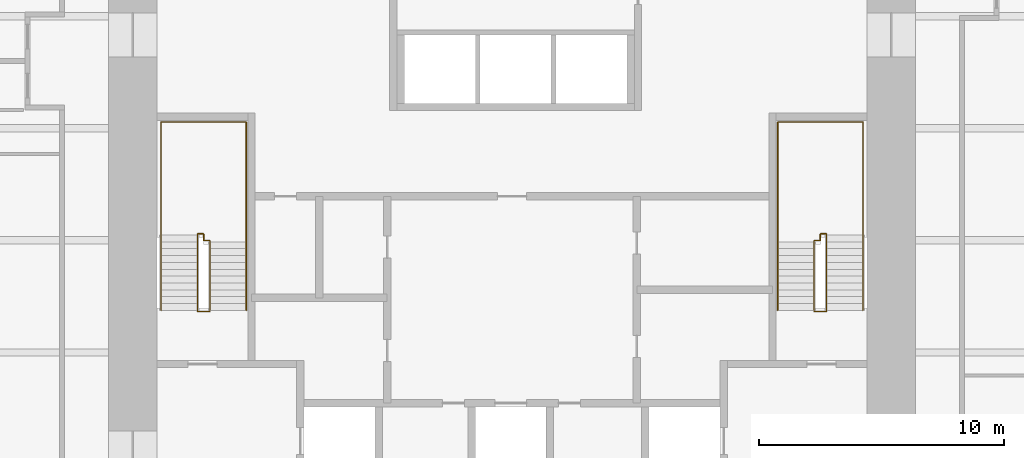
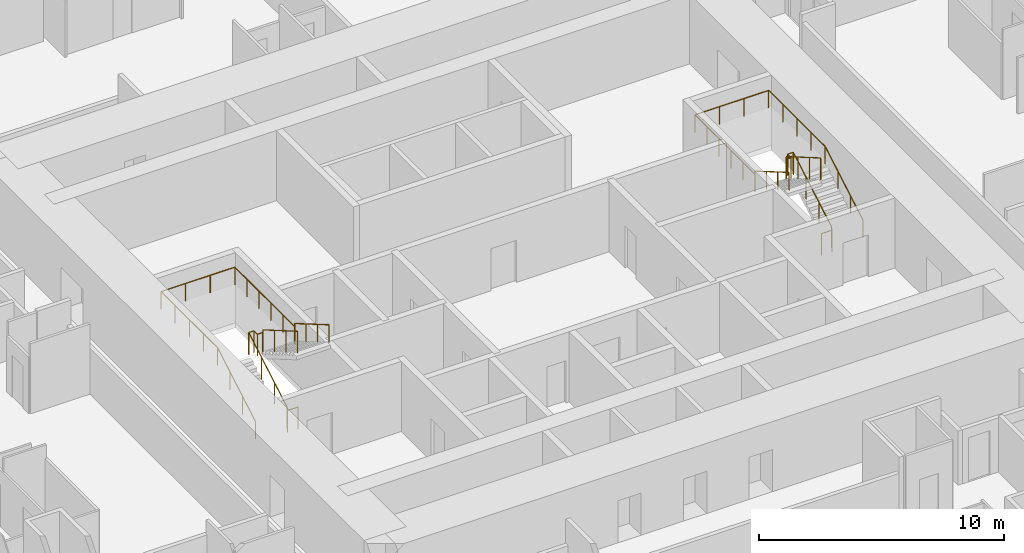
# One storey, part 13 of 13: 4 railings.
"""IFC4 building model written with IfcOpenShell, lengths in metres."""

from ifc_helpers import new_model, si_unit, direction, frame, origin, origin_2d, place, context, subcontext, project, spatial, circle, extrude, material, type_object, element, save


model = new_model("IFC4")

# Units and contexts
model_context = context("Model", 3, precision=1e-05, world=origin(), true_north=direction((0.0, 1.0)))
body_context = subcontext(model_context, "Body", "Model", "MODEL_VIEW")
ifc_project = project(units=[si_unit("LENGTHUNIT", "METRE"), si_unit("AREAUNIT", "SQUARE_METRE"), si_unit("VOLUMEUNIT", "CUBIC_METRE"), si_unit("PLANEANGLEUNIT", "RADIAN"), si_unit("MASSUNIT", "GRAM", prefix="KILO")], contexts=[model_context])

# Site, building, storey
site_placement = place(None, origin())
site = spatial("IfcSite", under=ifc_project, at=site_placement, CompositionType="ELEMENT")
building_placement = place(site_placement, origin())
building = spatial("IfcBuilding", under=site, at=building_placement, Name="Khuree Lantern Residences", CompositionType="ELEMENT")
storey_placement = place(building_placement, frame((0.0, 0.0, 118.5)))
storey = spatial("IfcBuildingStorey", under=building, at=storey_placement, Name="L29", CompositionType="ELEMENT", Elevation=118.5)

# Railings
ifc_material = material(Name="Steel S355", Category="steel")
railing_type_1 = type_object("IfcRailingType", Name="STAIR GUARD G1 1100", PredefinedType="GUARDRAIL", material=ifc_material)
railing_1_placement = place(storey_placement, frame((-12.35009765625, -2.909912109375, 0.0)))
element("IfcRailing", 1, at=railing_1_placement, inside=storey, type_object=railing_type_1, Name="Stair ST1 guard", PredefinedType="GUARDRAIL", context=body_context, shape_type="SweptSolid", body=[
    extrude(circle(Radius=0.02392578125, at=origin_2d()), frame((0.0, 0.0, 1.076171875), z_axis=(-1.0, 0.0, 0.0), x_axis=(0.0, -1.0, 0.0)), (0.0, 0.0, 1.0), 0.5),
    extrude(circle(Radius=0.02392578125, at=origin_2d()), frame((-0.5, 0.0, 1.076171875), z_axis=(0.0, 0.292073035251, 0.95639601739), x_axis=(-1.0, 0.0, 0.0)), (0.0, 0.0, 1.0), 0.17041015625),
    extrude(circle(Radius=0.02392578125, at=origin_2d()), frame((-0.5, 0.0498046875, 1.2392578125), z_axis=(0.0, 0.864176135923, 0.503189433615), x_axis=(-1.0, 0.0, 0.0)), (0.0, 0.0, 1.0), 3.564208984375),
    extrude(circle(Radius=0.02392578125, at=origin_2d()), frame((-0.5, 3.1298828125, 3.03271484375), z_axis=(0.0, 1.0, 0.0), x_axis=(-1.0, 0.0, 0.0)), (0.0, 0.0, 1.0), 0.050048828125),
    extrude(circle(Radius=0.02392578125, at=origin_2d()), frame((-0.5, 3.179931640625, 3.03271484375), z_axis=(1.0, 0.0, 0.0), x_axis=(0.0, 1.0, 0.0)), (0.0, 0.0, 1.0), 0.25),
    extrude(circle(Radius=0.02392578125, at=origin_2d()), frame((-0.25, 3.179931640625, 3.03271484375), z_axis=(0.0, -1.0, 0.0), x_axis=(1.0, 0.0, 0.0)), (0.0, 0.0, 1.0), 0.280029296875),
    extrude(circle(Radius=0.02392578125, at=origin_2d()), frame((-0.25, 2.89990234375, 3.03271484375), z_axis=(1.0, 0.0, 0.0), x_axis=(0.0, 1.0, 0.0)), (0.0, 0.0, 1.0), 0.25),
    extrude(circle(Radius=0.02392578125, at=origin_2d()), frame((0.0, 2.89990234375, 3.03271484375), z_axis=(0.0, -0.293381807449, 0.955995353053), x_axis=(1.0, 0.0, 0.0)), (0.0, 0.0, 1.0), 0.170654296875),
    extrude(circle(Radius=0.02392578125, at=origin_2d()), frame((0.0, 2.849853515625, 3.19580078125), z_axis=(0.0, -0.864180358799, 0.503182181189), x_axis=(1.0, 0.0, 0.0)), (0.0, 0.0, 1.0), 3.240234375),
    extrude(circle(Radius=0.02099609375, at=origin_2d()), origin(), (0.0, 0.0, 1.0), 1.052001953125),
    extrude(circle(Radius=0.02099609375, at=origin_2d()), frame((-0.5, 0.0, 0.0)), (0.0, 0.0, 1.0), 1.052001953125),
    extrude(circle(Radius=0.02099609375, at=origin_2d()), frame((-0.5, 0.0498046875, 0.1630859375)), (0.0, 0.0, 1.0), 1.052001953125),
    extrude(circle(Radius=0.02099609375, at=origin_2d()), frame((-0.5, 1.076416015625, 0.760986328125)), (0.0, 0.0, 1.0), 1.052001953125),
    extrude(circle(Radius=0.02099609375, at=origin_2d()), frame((-0.5, 2.103271484375, 1.358642578125)), (0.0, 0.0, 1.0), 1.052001953125),
    extrude(circle(Radius=0.02099609375, at=origin_2d()), frame((-0.5, 3.1298828125, 1.95654296875)), (0.0, 0.0, 1.0), 1.052001953125),
    extrude(circle(Radius=0.02099609375, at=origin_2d()), frame((-0.5, 3.179931640625, 1.95654296875)), (0.0, 0.0, 1.0), 1.052001953125),
    extrude(circle(Radius=0.02099609375, at=origin_2d()), frame((-0.25, 3.179931640625, 1.95654296875)), (0.0, 0.0, 1.0), 1.052001953125),
    extrude(circle(Radius=0.02099609375, at=origin_2d()), frame((-0.25, 2.89990234375, 1.95654296875)), (0.0, 0.0, 1.0), 1.052001953125),
    extrude(circle(Radius=0.02099609375, at=origin_2d()), frame((0.0, 2.89990234375, 1.95654296875)), (0.0, 0.0, 1.0), 1.052001953125),
    extrude(circle(Radius=0.02099609375, at=origin_2d()), frame((0.0, 2.849853515625, 2.11962890625)), (0.0, 0.0, 1.0), 1.052001953125),
    extrude(circle(Radius=0.02099609375, at=origin_2d()), frame((0.0, 1.91650390625, 2.6630859375)), (0.0, 0.0, 1.0), 1.052001953125),
    extrude(circle(Radius=0.02099609375, at=origin_2d()), frame((0.0, 0.983154296875, 3.20654296875)), (0.0, 0.0, 1.0), 1.052001953125),
    extrude(circle(Radius=0.02099609375, at=origin_2d()), frame((0.0, 0.0498046875, 3.75)), (0.0, 0.0, 1.0), 1.052001953125),
])
railing_2_placement = place(storey_placement, frame((12.35009765625, -2.909912109375, 0.0)))
element("IfcRailing", 2, at=railing_2_placement, inside=storey, type_object=railing_type_1, Name="Stair ST2 guard", PredefinedType="GUARDRAIL", context=body_context, shape_type="SweptSolid", body=[
    extrude(circle(Radius=0.02392578125, at=origin_2d()), frame((0.0, 0.0, 1.076171875), z_axis=(1.0, 0.0, 0.0), x_axis=(0.0, 1.0, 0.0)), (0.0, 0.0, 1.0), 0.5),
    extrude(circle(Radius=0.02392578125, at=origin_2d()), frame((0.5, 0.0, 1.076171875), z_axis=(0.0, 0.292073035251, 0.95639601739), x_axis=(-1.0, 0.0, 0.0)), (0.0, 0.0, 1.0), 0.17041015625),
    extrude(circle(Radius=0.02392578125, at=origin_2d()), frame((0.5, 0.0498046875, 1.2392578125), z_axis=(0.0, 0.864176135923, 0.503189433615), x_axis=(-1.0, 0.0, 0.0)), (0.0, 0.0, 1.0), 3.564208984375),
    extrude(circle(Radius=0.02392578125, at=origin_2d()), frame((0.5, 3.1298828125, 3.03271484375), z_axis=(0.0, 1.0, 0.0), x_axis=(-1.0, 0.0, 0.0)), (0.0, 0.0, 1.0), 0.050048828125),
    extrude(circle(Radius=0.02392578125, at=origin_2d()), frame((0.5, 3.179931640625, 3.03271484375), z_axis=(-1.0, 0.0, 0.0), x_axis=(0.0, -1.0, 0.0)), (0.0, 0.0, 1.0), 0.25),
    extrude(circle(Radius=0.02392578125, at=origin_2d()), frame((0.25, 3.179931640625, 3.03271484375), z_axis=(0.0, -1.0, 0.0), x_axis=(1.0, 0.0, 0.0)), (0.0, 0.0, 1.0), 0.280029296875),
    extrude(circle(Radius=0.02392578125, at=origin_2d()), frame((0.25, 2.89990234375, 3.03271484375), z_axis=(-1.0, 0.0, 0.0), x_axis=(0.0, -1.0, 0.0)), (0.0, 0.0, 1.0), 0.25),
    extrude(circle(Radius=0.02392578125, at=origin_2d()), frame((0.0, 2.89990234375, 3.03271484375), z_axis=(0.0, -0.293381807449, 0.955995353053), x_axis=(1.0, 0.0, 0.0)), (0.0, 0.0, 1.0), 0.170654296875),
    extrude(circle(Radius=0.02392578125, at=origin_2d()), frame((0.0, 2.849853515625, 3.19580078125), z_axis=(0.0, -0.864180358799, 0.503182181189), x_axis=(1.0, 0.0, 0.0)), (0.0, 0.0, 1.0), 3.240234375),
    extrude(circle(Radius=0.02099609375, at=origin_2d()), origin(), (0.0, 0.0, 1.0), 1.052001953125),
    extrude(circle(Radius=0.02099609375, at=origin_2d()), frame((0.5, 0.0, 0.0)), (0.0, 0.0, 1.0), 1.052001953125),
    extrude(circle(Radius=0.02099609375, at=origin_2d()), frame((0.5, 0.0498046875, 0.1630859375)), (0.0, 0.0, 1.0), 1.052001953125),
    extrude(circle(Radius=0.02099609375, at=origin_2d()), frame((0.5, 1.076416015625, 0.760986328125)), (0.0, 0.0, 1.0), 1.052001953125),
    extrude(circle(Radius=0.02099609375, at=origin_2d()), frame((0.5, 2.103271484375, 1.358642578125)), (0.0, 0.0, 1.0), 1.052001953125),
    extrude(circle(Radius=0.02099609375, at=origin_2d()), frame((0.5, 3.1298828125, 1.95654296875)), (0.0, 0.0, 1.0), 1.052001953125),
    extrude(circle(Radius=0.02099609375, at=origin_2d()), frame((0.5, 3.179931640625, 1.95654296875)), (0.0, 0.0, 1.0), 1.052001953125),
    extrude(circle(Radius=0.02099609375, at=origin_2d()), frame((0.25, 3.179931640625, 1.95654296875)), (0.0, 0.0, 1.0), 1.052001953125),
    extrude(circle(Radius=0.02099609375, at=origin_2d()), frame((0.25, 2.89990234375, 1.95654296875)), (0.0, 0.0, 1.0), 1.052001953125),
    extrude(circle(Radius=0.02099609375, at=origin_2d()), frame((0.0, 2.89990234375, 1.95654296875)), (0.0, 0.0, 1.0), 1.052001953125),
    extrude(circle(Radius=0.02099609375, at=origin_2d()), frame((0.0, 2.849853515625, 2.11962890625)), (0.0, 0.0, 1.0), 1.052001953125),
    extrude(circle(Radius=0.02099609375, at=origin_2d()), frame((0.0, 1.91650390625, 2.6630859375)), (0.0, 0.0, 1.0), 1.052001953125),
    extrude(circle(Radius=0.02099609375, at=origin_2d()), frame((0.0, 0.983154296875, 3.20654296875)), (0.0, 0.0, 1.0), 1.052001953125),
    extrude(circle(Radius=0.02099609375, at=origin_2d()), frame((0.0, 0.0498046875, 3.75)), (0.0, 0.0, 1.0), 1.052001953125),
])
railing_type_2 = type_object("IfcRailingType", Name="STAIR HANDRAIL H1 900", PredefinedType="HANDRAIL", material=ifc_material)
railing_3_placement = place(storey_placement, frame((-14.340087890625, -2.860107421875, 0.1630859375)))
element("IfcRailing", 3, at=railing_3_placement, inside=storey, type_object=railing_type_2, Name="Stair ST1 handrail", PredefinedType="HANDRAIL", context=body_context, shape_type="SweptSolid", body=[
    extrude(circle(Radius=0.02392578125, at=origin_2d()), frame((0.0, 0.0, 0.8759765625), z_axis=(0.0, 0.864176135923, 0.503189433615), x_axis=(-1.0, 0.0, 0.0)), (0.0, 0.0, 1.0), 3.564208984375),
    extrude(circle(Radius=0.02392578125, at=origin_2d()), frame((0.0, 3.080078125, 2.66943359375), z_axis=(0.0, 1.0, 0.0), x_axis=(-1.0, 0.0, 0.0)), (0.0, 0.0, 1.0), 4.6201171875),
    extrude(circle(Radius=0.02392578125, at=origin_2d()), frame((0.0, 7.7001953125, 2.66943359375), z_axis=(1.0, 0.0, 0.0), x_axis=(0.0, 1.0, 0.0)), (0.0, 0.0, 1.0), 3.47998046875),
    extrude(circle(Radius=0.02392578125, at=origin_2d()), frame((3.47998046875, 7.7001953125, 2.66943359375), z_axis=(0.0, -1.0, 0.0), x_axis=(1.0, 0.0, 0.0)), (0.0, 0.0, 1.0), 4.900146484375),
    extrude(circle(Radius=0.02392578125, at=origin_2d()), frame((3.47998046875, 2.800048828125, 2.66943359375), z_axis=(0.0, 0.0, 1.0), x_axis=(1.0, 0.0, 0.0)), (0.0, 0.0, 1.0), 0.1630859375),
    extrude(circle(Radius=0.02392578125, at=origin_2d()), frame((3.47998046875, 2.800048828125, 2.83251953125), z_axis=(0.0, -0.864180358799, 0.503182181189), x_axis=(1.0, 0.0, 0.0)), (0.0, 0.0, 1.0), 3.240234375),
    extrude(circle(Radius=0.02099609375, at=origin_2d()), origin(), (0.0, 0.0, 1.0), 0.851806640625),
    extrude(circle(Radius=0.02099609375, at=origin_2d()), frame((0.0, 1.026611328125, 0.597900390625)), (0.0, 0.0, 1.0), 0.851806640625),
    extrude(circle(Radius=0.02099609375, at=origin_2d()), frame((0.0, 2.053466796875, 1.195556640625)), (0.0, 0.0, 1.0), 0.851806640625),
    extrude(circle(Radius=0.02099609375, at=origin_2d()), frame((0.0, 3.080078125, 1.79345703125)), (0.0, 0.0, 1.0), 0.851806640625),
    extrude(circle(Radius=0.02099609375, at=origin_2d()), frame((0.0, 4.235107421875, 1.79345703125)), (0.0, 0.0, 1.0), 0.851806640625),
    extrude(circle(Radius=0.02099609375, at=origin_2d()), frame((0.0, 5.39013671875, 1.79345703125)), (0.0, 0.0, 1.0), 0.851806640625),
    extrude(circle(Radius=0.02099609375, at=origin_2d()), frame((0.0, 6.545166015625, 1.79345703125)), (0.0, 0.0, 1.0), 0.851806640625),
    extrude(circle(Radius=0.02099609375, at=origin_2d()), frame((0.0, 7.7001953125, 1.79345703125)), (0.0, 0.0, 1.0), 0.851806640625),
    extrude(circle(Radius=0.02099609375, at=origin_2d()), frame((1.159912109375, 7.7001953125, 1.79345703125)), (0.0, 0.0, 1.0), 0.851806640625),
    extrude(circle(Radius=0.02099609375, at=origin_2d()), frame((2.320068359375, 7.7001953125, 1.79345703125)), (0.0, 0.0, 1.0), 0.851806640625),
    extrude(circle(Radius=0.02099609375, at=origin_2d()), frame((3.47998046875, 7.7001953125, 1.79345703125)), (0.0, 0.0, 1.0), 0.851806640625),
    extrude(circle(Radius=0.02099609375, at=origin_2d()), frame((3.47998046875, 6.72021484375, 1.79345703125)), (0.0, 0.0, 1.0), 0.851806640625),
    extrude(circle(Radius=0.02099609375, at=origin_2d()), frame((3.47998046875, 5.740234375, 1.79345703125)), (0.0, 0.0, 1.0), 0.851806640625),
    extrude(circle(Radius=0.02099609375, at=origin_2d()), frame((3.47998046875, 4.760009765625, 1.79345703125)), (0.0, 0.0, 1.0), 0.851806640625),
    extrude(circle(Radius=0.02099609375, at=origin_2d()), frame((3.47998046875, 3.780029296875, 1.79345703125)), (0.0, 0.0, 1.0), 0.851806640625),
    extrude(circle(Radius=0.02099609375, at=origin_2d()), frame((3.47998046875, 2.800048828125, 1.79345703125)), (0.0, 0.0, 1.0), 0.851806640625),
    extrude(circle(Radius=0.02099609375, at=origin_2d()), frame((3.47998046875, 2.800048828125, 1.95654296875)), (0.0, 0.0, 1.0), 0.851806640625),
    extrude(circle(Radius=0.02099609375, at=origin_2d()), frame((3.47998046875, 1.86669921875, 2.5)), (0.0, 0.0, 1.0), 0.851806640625),
    extrude(circle(Radius=0.02099609375, at=origin_2d()), frame((3.47998046875, 0.933349609375, 3.04345703125)), (0.0, 0.0, 1.0), 0.851806640625),
    extrude(circle(Radius=0.02099609375, at=origin_2d()), frame((3.47998046875, 0.0, 3.5869140625)), (0.0, 0.0, 1.0), 0.851806640625),
])
railing_4_placement = place(storey_placement, frame((14.340087890625, -2.860107421875, 0.1630859375)))
element("IfcRailing", 4, at=railing_4_placement, inside=storey, type_object=railing_type_2, Name="Stair ST2 handrail", PredefinedType="HANDRAIL", context=body_context, shape_type="SweptSolid", body=[
    extrude(circle(Radius=0.02392578125, at=origin_2d()), frame((0.0, 0.0, 0.8759765625), z_axis=(0.0, 0.864176135923, 0.503189433615), x_axis=(-1.0, 0.0, 0.0)), (0.0, 0.0, 1.0), 3.564208984375),
    extrude(circle(Radius=0.02392578125, at=origin_2d()), frame((0.0, 3.080078125, 2.66943359375), z_axis=(0.0, 1.0, 0.0), x_axis=(-1.0, 0.0, 0.0)), (0.0, 0.0, 1.0), 4.6201171875),
    extrude(circle(Radius=0.02392578125, at=origin_2d()), frame((0.0, 7.7001953125, 2.66943359375), z_axis=(-1.0, 0.0, 0.0), x_axis=(0.0, -1.0, 0.0)), (0.0, 0.0, 1.0), 3.47998046875),
    extrude(circle(Radius=0.02392578125, at=origin_2d()), frame((-3.47998046875, 7.7001953125, 2.66943359375), z_axis=(0.0, -1.0, 0.0), x_axis=(1.0, 0.0, 0.0)), (0.0, 0.0, 1.0), 4.900146484375),
    extrude(circle(Radius=0.02392578125, at=origin_2d()), frame((-3.47998046875, 2.800048828125, 2.66943359375), z_axis=(0.0, 0.0, 1.0), x_axis=(1.0, 0.0, 0.0)), (0.0, 0.0, 1.0), 0.1630859375),
    extrude(circle(Radius=0.02392578125, at=origin_2d()), frame((-3.47998046875, 2.800048828125, 2.83251953125), z_axis=(0.0, -0.864180358799, 0.503182181189), x_axis=(1.0, 0.0, 0.0)), (0.0, 0.0, 1.0), 3.240234375),
    extrude(circle(Radius=0.02099609375, at=origin_2d()), origin(), (0.0, 0.0, 1.0), 0.851806640625),
    extrude(circle(Radius=0.02099609375, at=origin_2d()), frame((0.0, 1.026611328125, 0.597900390625)), (0.0, 0.0, 1.0), 0.851806640625),
    extrude(circle(Radius=0.02099609375, at=origin_2d()), frame((0.0, 2.053466796875, 1.195556640625)), (0.0, 0.0, 1.0), 0.851806640625),
    extrude(circle(Radius=0.02099609375, at=origin_2d()), frame((0.0, 3.080078125, 1.79345703125)), (0.0, 0.0, 1.0), 0.851806640625),
    extrude(circle(Radius=0.02099609375, at=origin_2d()), frame((0.0, 4.235107421875, 1.79345703125)), (0.0, 0.0, 1.0), 0.851806640625),
    extrude(circle(Radius=0.02099609375, at=origin_2d()), frame((0.0, 5.39013671875, 1.79345703125)), (0.0, 0.0, 1.0), 0.851806640625),
    extrude(circle(Radius=0.02099609375, at=origin_2d()), frame((0.0, 6.545166015625, 1.79345703125)), (0.0, 0.0, 1.0), 0.851806640625),
    extrude(circle(Radius=0.02099609375, at=origin_2d()), frame((0.0, 7.7001953125, 1.79345703125)), (0.0, 0.0, 1.0), 0.851806640625),
    extrude(circle(Radius=0.02099609375, at=origin_2d()), frame((-1.159912109375, 7.7001953125, 1.79345703125)), (0.0, 0.0, 1.0), 0.851806640625),
    extrude(circle(Radius=0.02099609375, at=origin_2d()), frame((-2.320068359375, 7.7001953125, 1.79345703125)), (0.0, 0.0, 1.0), 0.851806640625),
    extrude(circle(Radius=0.02099609375, at=origin_2d()), frame((-3.47998046875, 7.7001953125, 1.79345703125)), (0.0, 0.0, 1.0), 0.851806640625),
    extrude(circle(Radius=0.02099609375, at=origin_2d()), frame((-3.47998046875, 6.72021484375, 1.79345703125)), (0.0, 0.0, 1.0), 0.851806640625),
    extrude(circle(Radius=0.02099609375, at=origin_2d()), frame((-3.47998046875, 5.740234375, 1.79345703125)), (0.0, 0.0, 1.0), 0.851806640625),
    extrude(circle(Radius=0.02099609375, at=origin_2d()), frame((-3.47998046875, 4.760009765625, 1.79345703125)), (0.0, 0.0, 1.0), 0.851806640625),
    extrude(circle(Radius=0.02099609375, at=origin_2d()), frame((-3.47998046875, 3.780029296875, 1.79345703125)), (0.0, 0.0, 1.0), 0.851806640625),
    extrude(circle(Radius=0.02099609375, at=origin_2d()), frame((-3.47998046875, 2.800048828125, 1.79345703125)), (0.0, 0.0, 1.0), 0.851806640625),
    extrude(circle(Radius=0.02099609375, at=origin_2d()), frame((-3.47998046875, 2.800048828125, 1.95654296875)), (0.0, 0.0, 1.0), 0.851806640625),
    extrude(circle(Radius=0.02099609375, at=origin_2d()), frame((-3.47998046875, 1.86669921875, 2.5)), (0.0, 0.0, 1.0), 0.851806640625),
    extrude(circle(Radius=0.02099609375, at=origin_2d()), frame((-3.47998046875, 0.933349609375, 3.04345703125)), (0.0, 0.0, 1.0), 0.851806640625),
    extrude(circle(Radius=0.02099609375, at=origin_2d()), frame((-3.47998046875, 0.0, 3.5869140625)), (0.0, 0.0, 1.0), 0.851806640625),
])

save(model, "model.ifc")
